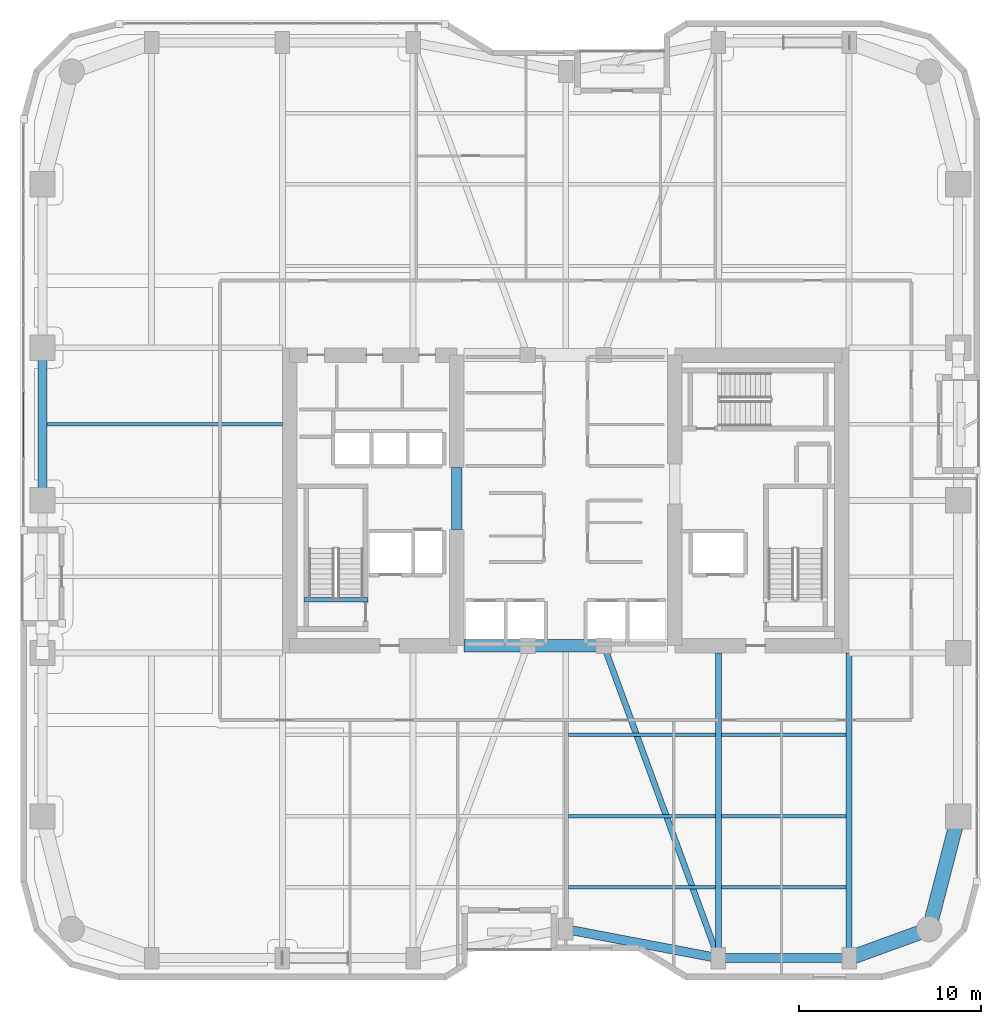
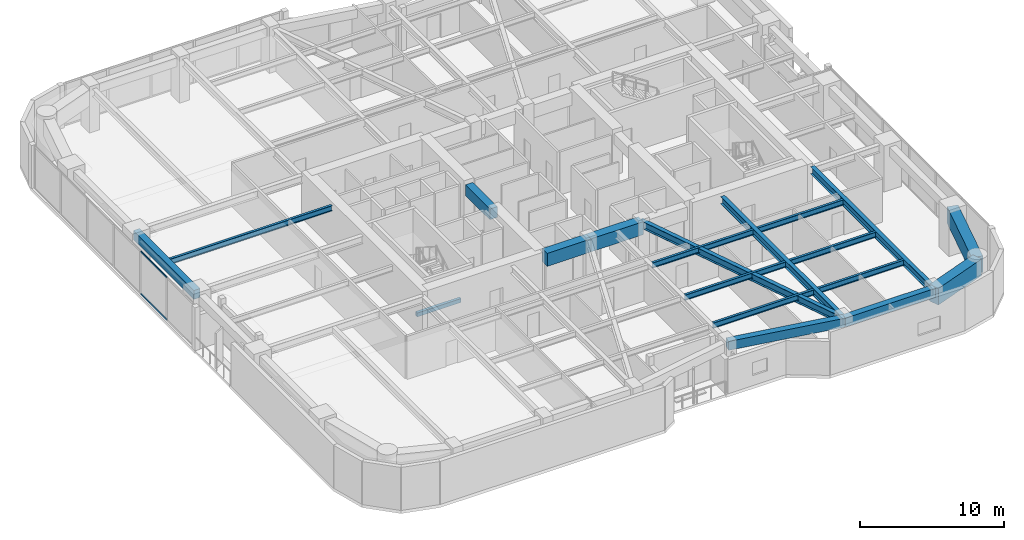
# One storey, part 3 of 24: 19 beams, 2 members, 1 element without a shape of its own.
"""IFC4 building model written with IfcOpenShell, lengths in metres."""

from ifc_helpers import new_model, si_unit, direction, frame, origin, origin_2d, place, context, subcontext, project, spatial, rectangle, hollow_rectangle, i_section, extrude, material, layer, layer_set, material_profile, profile_set, type_object, element, aggregate, save


model = new_model("IFC4")

# Units and contexts
model_context = context("Model", 3, precision=1e-05, world=origin(), true_north=direction((0.0, 1.0)))
body_context = subcontext(model_context, "Body", "Model", "MODEL_VIEW")
ifc_project = project(units=[si_unit("LENGTHUNIT", "METRE"), si_unit("AREAUNIT", "SQUARE_METRE"), si_unit("VOLUMEUNIT", "CUBIC_METRE"), si_unit("PLANEANGLEUNIT", "RADIAN"), si_unit("MASSUNIT", "GRAM", prefix="KILO")], contexts=[model_context])

# Site, building, storey
site_placement = place(None, origin())
site = spatial("IfcSite", under=ifc_project, at=site_placement, CompositionType="ELEMENT")
building_placement = place(site_placement, origin())
building = spatial("IfcBuilding", under=site, at=building_placement, Name="Kiyonajd Concourse Tower", CompositionType="ELEMENT")
storey_placement = place(building_placement, frame((0.0, 0.0, 105.300048828125)))
storey = spatial("IfcBuildingStorey", under=building, at=storey_placement, Name="L27", CompositionType="ELEMENT", Elevation=105.300048828125)

# Beams
ifc_material_1 = material(Name="Concrete C70/85", Category="concrete")
ifc_material_profile_1 = material_profile(ifc_material_1, rectangle(XDim=0.699951171875, YDim=1.10009765625, at=origin_2d()), Name="RCBM-700x1100")
ifc_profile_set_1 = profile_set([ifc_material_profile_1], Name="Concrete C70/85")
beam_type_1 = type_object("IfcBeamType", Name="BM-COUP-1100", PredefinedType="LINTEL", material=ifc_profile_set_1)
beam_1_placement = place(storey_placement, frame((42.39990234375, 28.0, 3.08984375), z_axis=(1.0, 0.0, 0.0), x_axis=(0.0, 1.0, 0.0)))
element("IfcBeam", 1, at=beam_1_placement, inside=storey, type_object=beam_type_1, Name="L27 Core Coupling Beam S1", PredefinedType="LINTEL", context=body_context, shape_type="SweptSolid", body=[
    extrude(rectangle(XDim=0.699951171875, YDim=1.10009765625, at=origin_2d()), origin(), (0.0, 0.0, 1.0), 3.5),
])
beam_2_placement = place(storey_placement, frame((45.89990234375, 28.0, 3.08984375), z_axis=(1.0, 0.0, 0.0), x_axis=(0.0, 1.0, 0.0)))
element("IfcBeam", 2, at=beam_2_placement, inside=storey, type_object=beam_type_1, Name="L27 Core Coupling Beam S2", PredefinedType="LINTEL", context=body_context, shape_type="SweptSolid", body=[
    extrude(rectangle(XDim=0.699951171875, YDim=1.10009765625, at=origin_2d()), origin(), (0.0, 0.0, 1.0), 4.2001953125),
])
ifc_material_2 = material(Name="Concrete C60/75", Category="concrete")
ifc_material_profile_2 = material_profile(ifc_material_2, rectangle(XDim=0.60009765625, YDim=0.89990234375, at=origin_2d()), Name="RCBM-600x900")
ifc_profile_set_2 = profile_set([ifc_material_profile_2], Name="Concrete C60/75")
beam_type_2 = type_object("IfcBeamType", Name="BM-COUP-900", PredefinedType="LINTEL", material=ifc_profile_set_2)
beam_3_placement = place(storey_placement, frame((42.0, 34.39990234375, 3.08984375), z_axis=(0.0, 1.0, 0.0), x_axis=(-1.0, 0.0, 0.0)))
element("IfcBeam", 3, at=beam_3_placement, inside=storey, type_object=beam_type_2, Name="L27 West Core Throat Coupling Lintel", PredefinedType="LINTEL", context=body_context, shape_type="SweptSolid", body=[
    extrude(rectangle(XDim=0.60009765625, YDim=0.89990234375, at=origin_2d()), origin(), (0.0, 0.0, 1.0), 3.400146484375),
])
ifc_material_3 = material(Name="Steel ASTM A992 Grade 50", Category="steel")
ifc_material_profile_3 = material_profile(ifc_material_3, i_section(OverallWidth=0.19189453125, OverallDepth=0.462890625, WebThickness=0.010498046875, FlangeThickness=0.017578125, at=origin_2d()), Name="W460X89")
ifc_profile_set_3 = profile_set([ifc_material_profile_3], Name="Steel ASTM A992 Grade 50")
beam_type_3 = type_object("IfcBeamType", Name="BM-JST-460B", PredefinedType="JOIST", material=ifc_profile_set_3)
beam_4_placement = place(storey_placement, frame((48.16357421875, 14.699951171875, 3.408447265625), z_axis=(1.0, 0.0, 0.0), x_axis=(0.0, 1.0, 0.0)))
element("IfcBeam", 4, at=beam_4_placement, inside=storey, type_object=beam_type_3, Name="L27 Secondary Floor Joist", PredefinedType="JOIST", context=body_context, shape_type="SweptSolid", body=[
    extrude(i_section(OverallWidth=0.19189453125, OverallDepth=0.462890625, WebThickness=0.010498046875, FlangeThickness=0.017578125, at=origin_2d()), origin(), (0.0, 0.0, 1.0), 8.072998046875),
])
beam_5_placement = place(storey_placement, frame((56.5634765625, 14.699951171875, 3.408447265625), z_axis=(1.0, 0.0, 0.0), x_axis=(0.0, 1.0, 0.0)))
element("IfcBeam", 5, at=beam_5_placement, inside=storey, type_object=beam_type_3, Name="L27 Secondary Floor Joist", PredefinedType="JOIST", context=body_context, shape_type="SweptSolid", body=[
    extrude(i_section(OverallWidth=0.19189453125, OverallDepth=0.462890625, WebThickness=0.010498046875, FlangeThickness=0.017578125, at=origin_2d()), origin(), (0.0, 0.0, 1.0), 6.873046875),
])
beam_6_placement = place(storey_placement, frame((48.16357421875, 18.60009765625, 3.408447265625), z_axis=(1.0, 0.0, 0.0), x_axis=(0.0, 1.0, 0.0)))
element("IfcBeam", 6, at=beam_6_placement, inside=storey, type_object=beam_type_3, Name="L27 Secondary Floor Joist", PredefinedType="JOIST", context=body_context, shape_type="SweptSolid", body=[
    extrude(i_section(OverallWidth=0.19189453125, OverallDepth=0.462890625, WebThickness=0.010498046875, FlangeThickness=0.017578125, at=origin_2d()), origin(), (0.0, 0.0, 1.0), 8.072998046875),
])
beam_7_placement = place(storey_placement, frame((56.5634765625, 18.60009765625, 3.408447265625), z_axis=(1.0, 0.0, 0.0), x_axis=(0.0, 1.0, 0.0)))
element("IfcBeam", 7, at=beam_7_placement, inside=storey, type_object=beam_type_3, Name="L27 Secondary Floor Joist", PredefinedType="JOIST", context=body_context, shape_type="SweptSolid", body=[
    extrude(i_section(OverallWidth=0.19189453125, OverallDepth=0.462890625, WebThickness=0.010498046875, FlangeThickness=0.017578125, at=origin_2d()), origin(), (0.0, 0.0, 1.0), 6.873046875),
])
beam_8_placement = place(storey_placement, frame((48.16357421875, 23.10009765625, 3.408447265625), z_axis=(1.0, 0.0, 0.0), x_axis=(0.0, 1.0, 0.0)))
element("IfcBeam", 8, at=beam_8_placement, inside=storey, type_object=beam_type_3, Name="L27 Secondary Floor Joist", PredefinedType="JOIST", context=body_context, shape_type="SweptSolid", body=[
    extrude(i_section(OverallWidth=0.19189453125, OverallDepth=0.462890625, WebThickness=0.010498046875, FlangeThickness=0.017578125, at=origin_2d()), origin(), (0.0, 0.0, 1.0), 8.072998046875),
])
beam_9_placement = place(storey_placement, frame((56.5634765625, 23.10009765625, 3.408447265625), z_axis=(1.0, 0.0, 0.0), x_axis=(0.0, 1.0, 0.0)))
element("IfcBeam", 9, at=beam_9_placement, inside=storey, type_object=beam_type_3, Name="L27 Secondary Floor Joist", PredefinedType="JOIST", context=body_context, shape_type="SweptSolid", body=[
    extrude(i_section(OverallWidth=0.19189453125, OverallDepth=0.462890625, WebThickness=0.010498046875, FlangeThickness=0.017578125, at=origin_2d()), origin(), (0.0, 0.0, 1.0), 6.873046875),
])
beam_10_placement = place(storey_placement, frame((19.449951171875, 40.199951171875, 3.408447265625), z_axis=(1.0, 0.0, 0.0), x_axis=(0.0, 1.0, 0.0)))
element("IfcBeam", 10, at=beam_10_placement, inside=storey, type_object=beam_type_3, Name="L27 West Secondary Floor Joist", PredefinedType="JOIST", context=body_context, shape_type="SweptSolid", body=[
    extrude(i_section(OverallWidth=0.19189453125, OverallDepth=0.462890625, WebThickness=0.010498046875, FlangeThickness=0.017578125, at=origin_2d()), origin(), (0.0, 0.0, 1.0), 12.949951171875),
])
ifc_material_4 = material(Name="Concrete C50/60", Category="concrete")
ifc_material_profile_4 = material_profile(ifc_material_4, rectangle(XDim=0.239990234375, YDim=0.320068359375, at=origin_2d()), Name="RCBM-240x320")
ifc_profile_set_4 = profile_set([ifc_material_profile_4], Name="Concrete C50/60")
beam_type_4 = type_object("IfcBeamType", Name="BM-LNT-250", PredefinedType="LINTEL", material=ifc_profile_set_4)
beam_11_placement = place(storey_placement, frame((33.590087890625, 30.530029296875, -0.16015625), z_axis=(1.0, 0.0, 0.0), x_axis=(0.0, 1.0, 0.0)))
element("IfcBeam", 11, at=beam_11_placement, inside=storey, type_object=beam_type_4, Name="L27 Stair ST1 Threshold Support Beam", PredefinedType="LINTEL", context=body_context, shape_type="SweptSolid", body=[
    extrude(rectangle(XDim=0.239990234375, YDim=0.320068359375, at=origin_2d()), origin(), (0.0, 0.0, 1.0), 3.52001953125),
])
ifc_material_5 = material(Name="Precast concrete C50/60", Category="concrete")
ifc_material_profile_5 = material_profile(ifc_material_5, rectangle(XDim=0.5, YDim=0.75, at=origin_2d()), Name="RCBM-500x750")
ifc_profile_set_5 = profile_set([ifc_material_profile_5], Name="Precast concrete C50/60")
beam_type_5 = type_object("IfcBeamType", Name="BM-SPAN-RC", PredefinedType="SPANDREL", material=ifc_profile_set_5)
beam_12_placement = place(storey_placement, frame((48.0, 12.39990234375, 3.264892578125), z_axis=(0.982341315253, -0.187097675953, 0.0), x_axis=(0.187097675953, 0.982341315253, 0.0)))
element("IfcBeam", 12, at=beam_12_placement, inside=storey, type_object=beam_type_5, Name="L27 Perimeter Bundled Tube Spandrel", PredefinedType="SPANDREL", context=body_context, shape_type="SweptSolid", body=[
    extrude(rectangle(XDim=0.5, YDim=0.75, at=origin_2d()), origin(), (0.0, 0.0, 1.0), 8.55078125),
])
beam_13_placement = place(storey_placement, frame((56.39990234375, 10.800048828125, 3.264892578125), z_axis=(1.0, 0.0, 0.0), x_axis=(0.0, 1.0, 0.0)))
element("IfcBeam", 13, at=beam_13_placement, inside=storey, type_object=beam_type_5, Name="L27 Perimeter Bundled Tube Spandrel", PredefinedType="SPANDREL", context=body_context, shape_type="SweptSolid", body=[
    extrude(rectangle(XDim=0.5, YDim=0.75, at=origin_2d()), origin(), (0.0, 0.0, 1.0), 7.2001953125),
])
beam_14_placement = place(storey_placement, frame((19.199951171875, 44.39990234375, 3.264892578125), z_axis=(0.0, -1.0, 0.0), x_axis=(1.0, 0.0, 0.0)))
element("IfcBeam", 14, at=beam_14_placement, inside=storey, type_object=beam_type_5, Name="L27 Perimeter Bundled Tube Spandrel", PredefinedType="SPANDREL", context=body_context, shape_type="SweptSolid", body=[
    extrude(rectangle(XDim=0.5, YDim=0.75, at=origin_2d()), origin(), (0.0, 0.0, 1.0), 8.39990234375),
])
ifc_material_profile_6 = material_profile(ifc_material_3, i_section(OverallWidth=0.326904296875, OverallDepth=0.6220703125, WebThickness=0.015380859375, FlangeThickness=0.0244140625, at=origin_2d()), Name="W610X195")
ifc_profile_set_6 = profile_set([ifc_material_profile_6], Name="Steel ASTM A992 Grade 50")
beam_type_6 = type_object("IfcBeamType", Name="BM-TWR-610A", PredefinedType="BEAM", material=ifc_profile_set_6)
beam_15_placement = place(storey_placement, frame((50.10009765625, 28.0, 3.328857421875), z_axis=(0.343925269715, -0.938997022813, 0.0), x_axis=(0.938997022813, 0.343925269715, 0.0)))
element("IfcBeam", 15, at=beam_15_placement, inside=storey, type_object=beam_type_6, Name="L27 Core Tie Girder", PredefinedType="BEAM", context=body_context, shape_type="SweptSolid", body=[
    extrude(i_section(OverallWidth=0.326904296875, OverallDepth=0.6220703125, WebThickness=0.015380859375, FlangeThickness=0.0244140625, at=origin_2d()), origin(), (0.0, 0.0, 1.0), 18.3173828125),
])
for number, where, z_axis, x_axis, name in (
    (16, (56.39990234375, 10.800048828125, 3.328857421875), (0.0, 1.0, 0.0), (-1.0, 0.0, 0.0), "L27 South Lease Girder"),
    (17, (63.60009765625, 10.800048828125, 3.328857421875), (0.0, 1.0, 0.0), (-1.0, 0.0, 0.0), "L27 South Lease Girder"),
):
    element("IfcBeam", number, at=place(storey_placement, frame(where, z_axis=z_axis, x_axis=x_axis)), inside=storey, type_object=beam_type_6, Name=name, PredefinedType="BEAM", context=body_context, shape_type="SweptSolid", body=[
        extrude(i_section(OverallWidth=0.326904296875, OverallDepth=0.6220703125, WebThickness=0.015380859375, FlangeThickness=0.0244140625, at=origin_2d()), origin(), (0.0, 0.0, 1.0), 16.800048828125),
    ])
ifc_material_profile_7 = material_profile(ifc_material_2, rectangle(XDim=0.800048828125, YDim=1.39990234375, at=origin_2d()), Name="RCBM-800x1400")
ifc_profile_set_7 = profile_set([ifc_material_profile_7], Name="Concrete C60/75")
beam_type_7 = type_object("IfcBeamType", Name="BM-XFER-RC", PredefinedType="BEAM", material=ifc_profile_set_7)
beam_16_placement = place(storey_placement, frame((63.60009765625, 10.800048828125, 2.93994140625), z_axis=(0.939801036019, 0.341722127901, 0.0), x_axis=(-0.341722127901, 0.939801036019, 0.0)))
element("IfcBeam", 18, at=beam_16_placement, inside=storey, type_object=beam_type_7, Name="L27 Perimeter Bundled Tube Spandrel", PredefinedType="BEAM", context=body_context, shape_type="SweptSolid", body=[
    extrude(rectangle(XDim=0.800048828125, YDim=1.39990234375, at=origin_2d()), origin(), (0.0, 0.0, 1.0), 4.681640625),
])
beam_17_placement = place(storey_placement, frame((68.0, 12.39990234375, 2.93994140625), z_axis=(0.249884937687, 0.968275538221, 0.0), x_axis=(-0.968275538221, 0.249884937687, 0.0)))
element("IfcBeam", 19, at=beam_17_placement, inside=storey, type_object=beam_type_7, Name="L27 Perimeter Bundled Tube Spandrel", PredefinedType="BEAM", context=body_context, shape_type="SweptSolid", body=[
    extrude(rectangle(XDim=0.800048828125, YDim=1.39990234375, at=origin_2d()), origin(), (0.0, 0.0, 1.0), 6.4033203125),
])

# Curtain wall, members
ifc_material_6 = material(Name="Thermally Broken Anodised Aluminium", Category="aluminium")
ifc_layer = layer(ifc_material_6, 0.179931640625)
ifc_layer_set = layer_set([ifc_layer], Name="Thermally Broken Anodised Aluminium")
curtain_wall_type = type_object("IfcCurtainWallType", Name="CW-SYS-03", PredefinedType="NOTDEFINED", material=ifc_layer_set)
curtain_wall_placement = place(storey_placement, origin())
curtain_wall = element("IfcCurtainWall", 20, at=curtain_wall_placement, inside=storey, type_object=curtain_wall_type, Name="L27 Unitised Curtain Wall CW3", PredefinedType="NOTDEFINED")
ifc_material_profile_8 = material_profile(ifc_material_6, hollow_rectangle(XDim=0.06494140625, YDim=0.139892578125, WallThickness=0.00390625, at=origin_2d()), Name="TRAN-65x140")
ifc_profile_set_8 = profile_set([ifc_material_profile_8], Name="Thermally Broken Anodised Aluminium")
member_type = type_object("IfcMemberType", Name="MB-CW-TRAN1", PredefinedType="USERDEFINED", material=ifc_profile_set_8)
member_1_placement = place(storey_placement, frame((18.159912109375, 38.355712890625, 0.032470703125), z_axis=(0.0, 1.0, 0.0), x_axis=(-1.0, 0.0, 0.0)))
member_1 = element("IfcMember", 21, at=member_1_placement, type_object=member_type, Name="CW3 transom 2.1", ObjectType="TRANSOM", PredefinedType="USERDEFINED", context=body_context, shape_type="SweptSolid", body=[
    extrude(hollow_rectangle(XDim=0.06494140625, YDim=0.139892578125, WallThickness=0.00390625, at=origin_2d()), origin(), (0.0, 0.0, 1.0), 3.608154296875),
])
member_2_placement = place(storey_placement, frame((18.159912109375, 38.355712890625, 3.607421875), z_axis=(0.0, 1.0, 0.0), x_axis=(-1.0, 0.0, 0.0)))
member_2 = element("IfcMember", 22, at=member_2_placement, type_object=member_type, Name="CW3 transom 2.2", ObjectType="TRANSOM", PredefinedType="USERDEFINED", context=body_context, shape_type="SweptSolid", body=[
    extrude(hollow_rectangle(XDim=0.06494140625, YDim=0.139892578125, WallThickness=0.00390625, at=origin_2d()), origin(), (0.0, 0.0, 1.0), 3.608154296875),
])
aggregate(curtain_wall, [member_1, member_2])

save(model, "model.ifc")
